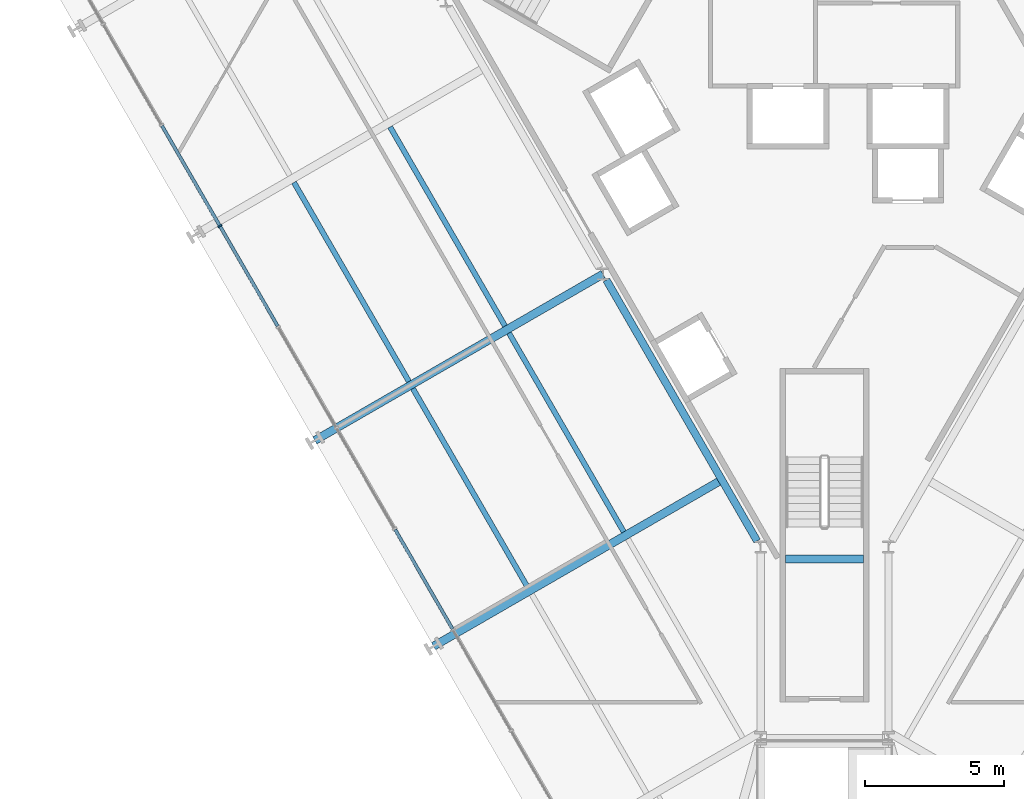
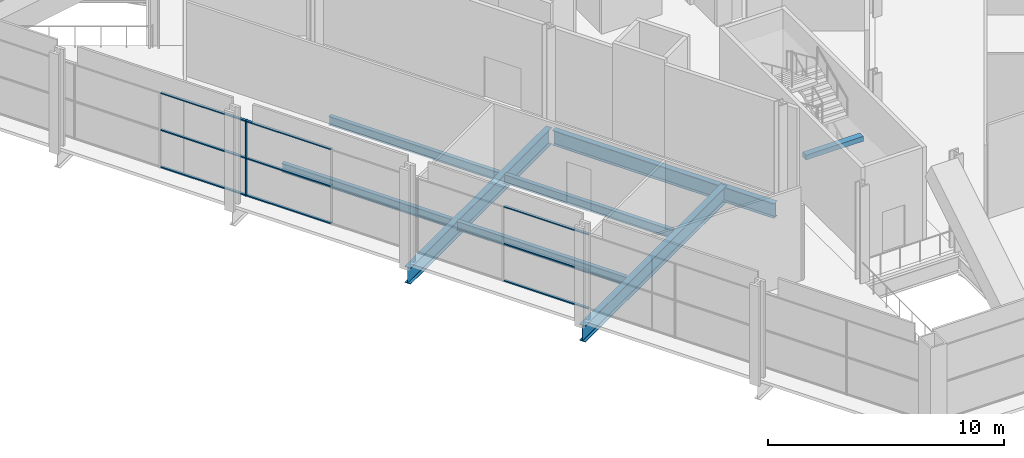
# One storey, part 3 of 20: 10 members, 8 beams, 1 element without a shape of its own.
"""IFC4 building model written with IfcOpenShell, lengths in metres."""

from ifc_helpers import new_model, si_unit, direction, frame, origin, origin_2d, place, context, subcontext, project, spatial, rectangle, i_section, extrude, material, layer, layer_set, material_profile, profile_set, type_object, element, aggregate, save


model = new_model("IFC4")

# Units and contexts
model_context = context("Model", 3, precision=1e-05, world=origin(), true_north=direction((0.0, 1.0)))
body_context = subcontext(model_context, "Body", "Model", "MODEL_VIEW")
ifc_project = project(units=[si_unit("LENGTHUNIT", "METRE"), si_unit("AREAUNIT", "SQUARE_METRE"), si_unit("VOLUMEUNIT", "CUBIC_METRE"), si_unit("PLANEANGLEUNIT", "RADIAN"), si_unit("MASSUNIT", "GRAM", prefix="KILO")], contexts=[model_context])

# Site, building, storey
site_placement = place(None, origin())
site = spatial("IfcSite", under=ifc_project, at=site_placement, CompositionType="ELEMENT")
building_placement = place(site_placement, origin())
building = spatial("IfcBuilding", under=site, at=building_placement, Name="Verrane Prism Tower", CompositionType="ELEMENT")
storey_placement = place(building_placement, frame((0.0, 0.0, 17.39990234375)))
storey = spatial("IfcBuildingStorey", under=building, at=storey_placement, Name="L02", CompositionType="ELEMENT", Elevation=17.39990234375)

# Curtain wall, members
ifc_material_1 = material(Name="Aluminium and glass curtain wall", Category="aluminium")
ifc_layer = layer(ifc_material_1, 0.199951171875)
ifc_layer_set = layer_set([ifc_layer], Name="CWB-1 retail curtain wall")
curtain_wall_type = type_object("IfcCurtainWallType", Name="CWB-1 retail curtain wall", PredefinedType="NOTDEFINED", material=ifc_layer_set)
curtain_wall_placement = place(storey_placement, origin())
curtain_wall = element("IfcCurtainWall", 1, at=curtain_wall_placement, inside=storey, type_object=curtain_wall_type, Name="Retail curtain wall L02 4", PredefinedType="NOTDEFINED")
ifc_material_2 = material(Name="Aluminium", Category="aluminium")
ifc_material_profile_1 = material_profile(ifc_material_2, rectangle(XDim=0.159912109375, YDim=0.06005859375, at=origin_2d()), Name="CWB-M 60x160 mullion")
ifc_profile_set_1 = profile_set([ifc_material_profile_1], Name="Aluminium")
member_type_1 = type_object("IfcMemberType", Name="CWB-M 60x160 mullion", PredefinedType="MULLION", material=ifc_profile_set_1)
member_1_placement = place(storey_placement, frame((-21.74560546875, -2.87548828125, 0.0), z_axis=(0.0, 0.0, 1.0), x_axis=(0.866025335097, 0.50000011897, 0.0)))
member_1 = element("IfcMember", 2, at=member_1_placement, type_object=member_type_1, Name="CWB24 mullion 5", PredefinedType="MULLION", context=body_context, shape_type="SweptSolid", body=[
    extrude(rectangle(XDim=0.159912109375, YDim=0.06005859375, at=origin_2d()), origin(), (0.0, 0.0, 1.0), 3.89013671875),
])
ifc_material_3 = material(Name="Aluminium", Category="aluminium")
ifc_material_profile_2 = material_profile(ifc_material_3, rectangle(XDim=0.1201171875, YDim=0.06005859375, at=origin_2d()), Name="CWB-T 60x120 transom")
ifc_profile_set_2 = profile_set([ifc_material_profile_2], Name="Aluminium")
member_type_2 = type_object("IfcMemberType", Name="CWB-T 60x120 transom", PredefinedType="USERDEFINED", material=ifc_profile_set_2)
member_2_placement = place(storey_placement, frame((-23.826416015625, 0.728271484375, 0.030029296875), z_axis=(0.500022567122, -0.866012374259, 0.0), x_axis=(0.866012374259, 0.500022567122, 0.0)))
member_2 = element("IfcMember", 3, at=member_2_placement, type_object=member_type_2, Name="CWB24 transom 4.1", ObjectType="TRANSOM", PredefinedType="USERDEFINED", context=body_context, shape_type="SweptSolid", body=[
    extrude(rectangle(XDim=0.1201171875, YDim=0.06005859375, at=origin_2d()), origin(), (0.0, 0.0, 1.0), 4.131103515625),
])
member_3_placement = place(storey_placement, frame((-23.826416015625, 0.728271484375, 1.945068359375), z_axis=(0.500022567122, -0.866012374259, 0.0), x_axis=(0.866012374259, 0.500022567122, 0.0)))
member_3 = element("IfcMember", 4, at=member_3_placement, type_object=member_type_2, Name="CWB24 transom 4.2", ObjectType="TRANSOM", PredefinedType="USERDEFINED", context=body_context, shape_type="SweptSolid", body=[
    extrude(rectangle(XDim=0.1201171875, YDim=0.06005859375, at=origin_2d()), origin(), (0.0, 0.0, 1.0), 4.131103515625),
])
member_4_placement = place(storey_placement, frame((-23.826416015625, 0.728271484375, 3.860107421875), z_axis=(0.500022567122, -0.866012374259, 0.0), x_axis=(0.866012374259, 0.500022567122, 0.0)))
member_4 = element("IfcMember", 5, at=member_4_placement, type_object=member_type_2, Name="CWB24 transom 4.3", ObjectType="TRANSOM", PredefinedType="USERDEFINED", context=body_context, shape_type="SweptSolid", body=[
    extrude(rectangle(XDim=0.1201171875, YDim=0.06005859375, at=origin_2d()), origin(), (0.0, 0.0, 1.0), 4.131103515625),
])
member_5_placement = place(storey_placement, frame((-21.730712890625, -2.9013671875, 0.030029296875), z_axis=(0.499996977546, -0.866027148792, 0.0), x_axis=(0.866027148792, 0.499996977546, 0.0)))
member_5 = element("IfcMember", 6, at=member_5_placement, type_object=member_type_2, Name="CWB24 transom 5.1", ObjectType="TRANSOM", PredefinedType="USERDEFINED", context=body_context, shape_type="SweptSolid", body=[
    extrude(rectangle(XDim=0.1201171875, YDim=0.06005859375, at=origin_2d()), origin(), (0.0, 0.0, 1.0), 4.13134765625),
])
member_6_placement = place(storey_placement, frame((-21.730712890625, -2.9013671875, 1.945068359375), z_axis=(0.499996977546, -0.866027148792, 0.0), x_axis=(0.866027148792, 0.499996977546, 0.0)))
member_6 = element("IfcMember", 7, at=member_6_placement, type_object=member_type_2, Name="CWB24 transom 5.2", ObjectType="TRANSOM", PredefinedType="USERDEFINED", context=body_context, shape_type="SweptSolid", body=[
    extrude(rectangle(XDim=0.1201171875, YDim=0.06005859375, at=origin_2d()), origin(), (0.0, 0.0, 1.0), 4.13134765625),
])
member_7_placement = place(storey_placement, frame((-21.730712890625, -2.9013671875, 3.860107421875), z_axis=(0.499996977546, -0.866027148792, 0.0), x_axis=(0.866027148792, 0.499996977546, 0.0)))
member_7 = element("IfcMember", 8, at=member_7_placement, type_object=member_type_2, Name="CWB24 transom 5.3", ObjectType="TRANSOM", PredefinedType="USERDEFINED", context=body_context, shape_type="SweptSolid", body=[
    extrude(rectangle(XDim=0.1201171875, YDim=0.06005859375, at=origin_2d()), origin(), (0.0, 0.0, 1.0), 4.13134765625),
])
member_8_placement = place(storey_placement, frame((-15.443603515625, -13.790771484375, 0.030029296875), z_axis=(0.499996977546, -0.866027148792, 0.0), x_axis=(0.866027148792, 0.499996977546, 0.0)))
member_8 = element("IfcMember", 9, at=member_8_placement, type_object=member_type_2, Name="CWB24 transom 8.1", ObjectType="TRANSOM", PredefinedType="USERDEFINED", context=body_context, shape_type="SweptSolid", body=[
    extrude(rectangle(XDim=0.1201171875, YDim=0.06005859375, at=origin_2d()), origin(), (0.0, 0.0, 1.0), 4.13134765625),
])
member_9_placement = place(storey_placement, frame((-15.443603515625, -13.790771484375, 1.945068359375), z_axis=(0.499996977546, -0.866027148792, 0.0), x_axis=(0.866027148792, 0.499996977546, 0.0)))
member_9 = element("IfcMember", 10, at=member_9_placement, type_object=member_type_2, Name="CWB24 transom 8.2", ObjectType="TRANSOM", PredefinedType="USERDEFINED", context=body_context, shape_type="SweptSolid", body=[
    extrude(rectangle(XDim=0.1201171875, YDim=0.06005859375, at=origin_2d()), origin(), (0.0, 0.0, 1.0), 4.13134765625),
])
member_10_placement = place(storey_placement, frame((-15.443603515625, -13.790771484375, 3.860107421875), z_axis=(0.499996977546, -0.866027148792, 0.0), x_axis=(0.866027148792, 0.499996977546, 0.0)))
member_10 = element("IfcMember", 11, at=member_10_placement, type_object=member_type_2, Name="CWB24 transom 8.3", ObjectType="TRANSOM", PredefinedType="USERDEFINED", context=body_context, shape_type="SweptSolid", body=[
    extrude(rectangle(XDim=0.1201171875, YDim=0.06005859375, at=origin_2d()), origin(), (0.0, 0.0, 1.0), 4.13134765625),
])
aggregate(curtain_wall, [member_1, member_2, member_3, member_4, member_5, member_6, member_7, member_8, member_9, member_10])

# Beams
ifc_material_4 = material(Name="Steel A992", Category="steel")
ifc_material_profile_3 = material_profile(ifc_material_4, i_section(OverallWidth=0.2666015625, OverallDepth=0.76708984375, WebThickness=0.014892578125, FlangeThickness=0.023681640625, FilletRadius=0.0166015625, at=origin_2d()), Name="W30x124")
ifc_profile_set_3 = profile_set([ifc_material_profile_3], Name="Steel A992")
beam_type_1 = type_object("IfcBeamType", Name="Core ring girder W30x124", PredefinedType="BEAM", material=ifc_profile_set_3)
beam_1_placement = place(storey_placement, frame((-7.844482421875, -4.817138671875, -0.63330078125), z_axis=(0.500022744667, -0.866012271747, 0.0), x_axis=(0.866012271747, 0.500022744667, 0.0)))
element("IfcBeam", 12, at=beam_1_placement, inside=storey, type_object=beam_type_1, Name="Core ring girder L02", PredefinedType="BEAM", context=body_context, shape_type="SweptSolid", body=[
    extrude(i_section(OverallWidth=0.2666015625, OverallDepth=0.76708984375, WebThickness=0.014892578125, FlangeThickness=0.023681640625, FilletRadius=0.0166015625, at=origin_2d()), origin(), (0.0, 0.0, 1.0), 10.837890625),
])
ifc_material_5 = material(Name="Steel A992", Category="steel")
ifc_material_profile_4 = material_profile(ifc_material_5, i_section(OverallWidth=0.1904296875, OverallDepth=0.457275390625, WebThickness=0.009033203125, FlangeThickness=0.014404296875, FilletRadius=0.01025390625, at=origin_2d()), Name="W18x50")
ifc_profile_set_4 = profile_set([ifc_material_profile_4], Name="Steel A992")
beam_type_2 = type_object("IfcBeamType", Name="Floor beam W18x50", PredefinedType="BEAM", material=ifc_profile_set_4)
beam_2_placement = place(storey_placement, frame((-11.48974609375, -6.47314453125, -0.388427734375), z_axis=(-0.500010437756, 0.866019377459, 0.0), x_axis=(-0.866019377459, -0.500010437756, 0.0)))
element("IfcBeam", 13, at=beam_2_placement, inside=storey, type_object=beam_type_2, Name="Floor beam L02", PredefinedType="BEAM", context=body_context, shape_type="SweptSolid", body=[
    extrude(i_section(OverallWidth=0.1904296875, OverallDepth=0.457275390625, WebThickness=0.009033203125, FlangeThickness=0.014404296875, FilletRadius=0.01025390625, at=origin_2d()), origin(), (0.0, 0.0, 1.0), 8.267822265625),
])
beam_3_placement = place(storey_placement, frame((-14.947021484375, -8.46875, -0.388427734375), z_axis=(-0.500007931068, 0.866020824732, 0.0), x_axis=(-0.866020824732, -0.500007931068, 0.0)))
element("IfcBeam", 14, at=beam_3_placement, inside=storey, type_object=beam_type_2, Name="Floor beam L02", PredefinedType="BEAM", context=body_context, shape_type="SweptSolid", body=[
    extrude(i_section(OverallWidth=0.1904296875, OverallDepth=0.457275390625, WebThickness=0.009033203125, FlangeThickness=0.014404296875, FilletRadius=0.01025390625, at=origin_2d()), origin(), (0.0, 0.0, 1.0), 8.266357421875),
])
beam_4_placement = place(storey_placement, frame((-7.2197265625, -13.876953125, -0.388427734375), z_axis=(-0.499987846292, 0.866032420617, 0.0), x_axis=(-0.866032420617, -0.499987846292, 0.0)))
element("IfcBeam", 15, at=beam_4_placement, inside=storey, type_object=beam_type_2, Name="Floor beam L02", PredefinedType="BEAM", context=body_context, shape_type="SweptSolid", body=[
    extrude(i_section(OverallWidth=0.1904296875, OverallDepth=0.457275390625, WebThickness=0.009033203125, FlangeThickness=0.014404296875, FilletRadius=0.01025390625, at=origin_2d()), origin(), (0.0, 0.0, 1.0), 8.255126953125),
])
beam_5_placement = place(storey_placement, frame((-10.67626953125, -15.8701171875, -0.388427734375), z_axis=(-0.500010949126, 0.866019082211, 0.0), x_axis=(-0.866019082211, -0.500010949126, 0.0)))
element("IfcBeam", 16, at=beam_5_placement, inside=storey, type_object=beam_type_2, Name="Floor beam L02", PredefinedType="BEAM", context=body_context, shape_type="SweptSolid", body=[
    extrude(i_section(OverallWidth=0.1904296875, OverallDepth=0.457275390625, WebThickness=0.009033203125, FlangeThickness=0.014404296875, FilletRadius=0.01025390625, at=origin_2d()), origin(), (0.0, 0.0, 1.0), 8.253173828125),
])
ifc_material_6 = material(Name="Steel A992", Category="steel")
ifc_material_profile_5 = material_profile(ifc_material_6, i_section(OverallWidth=0.2919921875, OverallDepth=0.845703125, WebThickness=0.015380859375, FlangeThickness=0.0244140625, FilletRadius=0.017822265625, at=origin_2d()), Name="W33x141")
ifc_profile_set_5 = profile_set([ifc_material_profile_5], Name="Steel A992")
beam_type_3 = type_object("IfcBeamType", Name="Radial girder W33x141", PredefinedType="BEAM", material=ifc_profile_set_5)
beam_6_placement = place(storey_placement, frame((-18.330078125, -10.590087890625, -0.642822265625), z_axis=(0.866021154013, 0.500007360747, 0.0), x_axis=(-0.500007360747, 0.866021154013, 0.0)))
element("IfcBeam", 17, at=beam_6_placement, inside=storey, type_object=beam_type_3, Name="Radial girder L02", PredefinedType="BEAM", context=body_context, shape_type="SweptSolid", body=[
    extrude(i_section(OverallWidth=0.2919921875, OverallDepth=0.845703125, WebThickness=0.015380859375, FlangeThickness=0.0244140625, FilletRadius=0.017822265625, at=origin_2d()), origin(), (0.0, 0.0, 1.0), 11.967041015625),
])
beam_7_placement = place(storey_placement, frame((-14.06005859375, -17.989990234375, -0.642822265625), z_axis=(0.866031719379, 0.499989060909, 0.0), x_axis=(-0.499989060909, 0.866031719379, 0.0)))
element("IfcBeam", 18, at=beam_7_placement, inside=storey, type_object=beam_type_3, Name="Radial girder L02", PredefinedType="BEAM", context=body_context, shape_type="SweptSolid", body=[
    extrude(i_section(OverallWidth=0.2919921875, OverallDepth=0.845703125, WebThickness=0.015380859375, FlangeThickness=0.0244140625, FilletRadius=0.017822265625, at=origin_2d()), origin(), (0.0, 0.0, 1.0), 11.969482421875),
])
ifc_material_7 = material(Name="Concrete C40/50", Category="concrete")
ifc_material_profile_6 = material_profile(ifc_material_7, rectangle(XDim=0.300048828125, YDim=0.25, at=origin_2d()), Name="RC 300x250")
ifc_profile_set_6 = profile_set([ifc_material_profile_6], Name="Concrete C40/50")
beam_type_4 = type_object("IfcBeamType", Name="Stair landing trimmer beam 300x250 concrete C40/50", PredefinedType="BEAM", material=ifc_profile_set_6)
beam_8_placement = place(storey_placement, frame((1.39990234375, -14.85009765625, 2.175048828125), z_axis=(-1.0, 0.0, 0.0), x_axis=(0.0, -1.0, 0.0)))
element("IfcBeam", 19, at=beam_8_placement, inside=storey, type_object=beam_type_4, Name="Stair 3 landing trimmer beam", PredefinedType="BEAM", context=body_context, shape_type="SweptSolid", body=[
    extrude(rectangle(XDim=0.300048828125, YDim=0.25, at=origin_2d()), origin(), (0.0, 0.0, 1.0), 2.7998046875),
])

save(model, "model.ifc")
